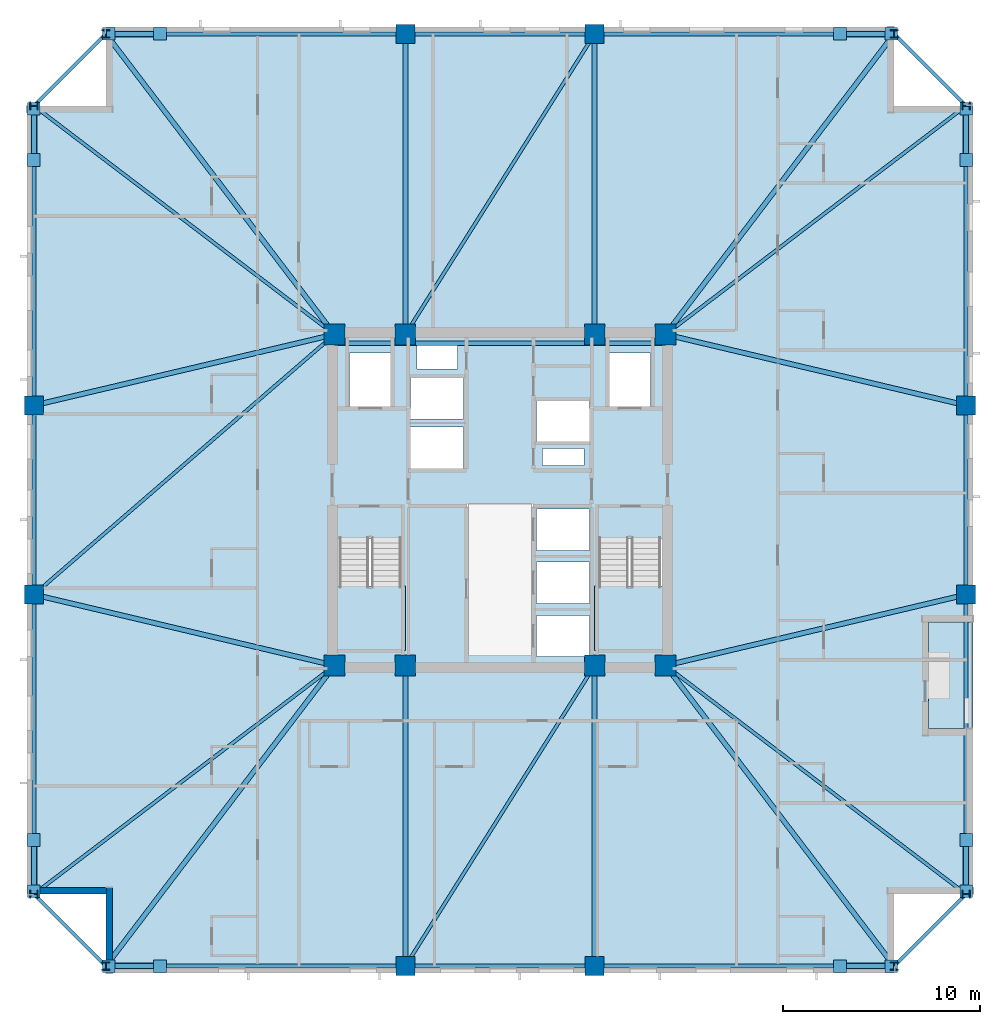
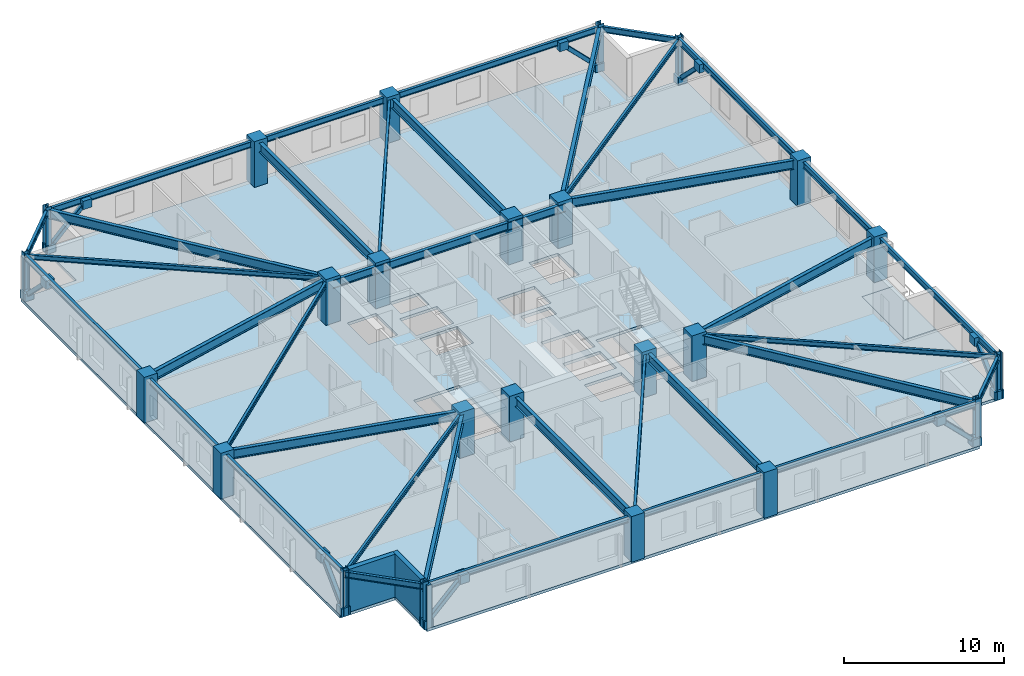
# One storey, part 1 of 11: 38 beams, 24 columns, 16 plates, 8 members, 4 slabs, 2 walls, 2 elements without a shape of their own.
"""IFC4 building model written with IfcOpenShell, lengths in metres."""

from ifc_helpers import new_model, si_unit, direction, frame, frame_2d, origin, origin_2d, place, context, subcontext, project, spatial, polyline, rectangle, hollow_rectangle, i_section, outline, extrude, material, layer, layer_set, material_profile, profile_set, type_object, element, aggregate, save


model = new_model("IFC4")

# Units and contexts
model_context = context("Model", 3, precision=1e-05, world=origin(), true_north=direction((0.0, 1.0)))
body_context = subcontext(model_context, "Body", "Model", "MODEL_VIEW")
ifc_project = project(units=[si_unit("LENGTHUNIT", "METRE"), si_unit("AREAUNIT", "SQUARE_METRE"), si_unit("VOLUMEUNIT", "CUBIC_METRE"), si_unit("PLANEANGLEUNIT", "RADIAN"), si_unit("MASSUNIT", "GRAM", prefix="KILO")], contexts=[model_context])

# Site, building, storey
site_placement = place(None, origin())
site = spatial("IfcSite", under=ifc_project, at=site_placement, CompositionType="ELEMENT")
building_placement = place(site_placement, origin())
building = spatial("IfcBuilding", under=site, at=building_placement, Name="Cairnveth Concourse Tower", CompositionType="ELEMENT")
storey_placement = place(building_placement, frame((0.0, 0.0, 176.0)))
storey = spatial("IfcBuildingStorey", under=building, at=storey_placement, Name="L48", CompositionType="ELEMENT", Elevation=176.0)

# Columns
ifc_material_1 = material(Name="Concrete N65 (65 MPa)", Category="concrete")
ifc_material_profile_1 = material_profile(ifc_material_1, rectangle(XDim=1.050048828125, YDim=1.050048828125, at=origin_2d()), Name="RC-COL-1050x1050")
ifc_profile_set_1 = profile_set([ifc_material_profile_1], Name="Concrete N65 (65 MPa)")
column_type_1 = type_object("IfcColumnType", Name="CORE COLUMN 1050X1050", PredefinedType="COLUMN", material=ifc_profile_set_1)
for number, where, z_axis, x_axis, name in (
    (1, (43.60009765625, 30.60009765625, 0.0), (0.0, 0.0, 1.0), (1.0, 0.0, 0.0), "Column CC1 L48"),
    (2, (47.199951171875, 30.60009765625, 0.0), (0.0, 0.0, 1.0), (1.0, 0.0, 0.0), "Column CC2 L48"),
    (3, (56.800048828125, 30.60009765625, 0.0), (0.0, 0.0, 1.0), (1.0, 0.0, 0.0), "Column CC3 L48"),
    (4, (60.39990234375, 30.60009765625, 0.0), (0.0, 0.0, 1.0), (1.0, 0.0, 0.0), "Column CC4 L48"),
    (5, (43.60009765625, 47.39990234375, 0.0), (0.0, 0.0, 1.0), (1.0, 0.0, 0.0), "Column CC5 L48"),
    (6, (47.199951171875, 47.39990234375, 0.0), (0.0, 0.0, 1.0), (1.0, 0.0, 0.0), "Column CC6 L48"),
    (7, (56.800048828125, 47.39990234375, 0.0), (0.0, 0.0, 1.0), (1.0, 0.0, 0.0), "Column CC7 L48"),
    (8, (60.39990234375, 47.39990234375, 0.0), (0.0, 0.0, 1.0), (1.0, 0.0, 0.0), "Column CC8 L48"),
):
    element("IfcColumn", number, at=place(storey_placement, frame(where, z_axis=z_axis, x_axis=x_axis)), inside=storey, type_object=column_type_1, Name=name, PredefinedType="COLUMN", context=body_context, shape_type="SweptSolid", body=[
        extrude(rectangle(XDim=1.050048828125, YDim=1.050048828125, at=origin_2d()), origin(), (0.0, 0.0, 1.0), 3.5),
    ])
ifc_material_profile_2 = material_profile(ifc_material_1, rectangle(XDim=0.949951171875, YDim=0.949951171875, at=origin_2d()), Name="RC-COL-950x950")
ifc_profile_set_2 = profile_set([ifc_material_profile_2], Name="Concrete N65 (65 MPa)")
column_type_2 = type_object("IfcColumnType", Name="PERIMETER PIER COLUMN 950X950", PredefinedType="COLUMN", material=ifc_profile_set_2)
for number, where, z_axis, x_axis, name in (
    (9, (47.199951171875, 15.35009765625, 0.0), (0.0, 0.0, 1.0), (1.0, 0.0, 0.0), "Column P-S2 L48"),
    (10, (56.800048828125, 15.35009765625, 0.0), (0.0, 0.0, 1.0), (1.0, 0.0, 0.0), "Column P-S3 L48"),
    (11, (75.64990234375, 34.199951171875, 0.0), (0.0, 0.0, 1.0), (0.0, 1.0, 0.0), "Column P-E2 L48"),
    (12, (75.64990234375, 43.800048828125, 0.0), (0.0, 0.0, 1.0), (0.0, 1.0, 0.0), "Column P-E3 L48"),
    (13, (56.800048828125, 62.64990234375, 0.0), (0.0, 0.0, 1.0), (1.0, 0.0, 0.0), "Column P-N2 L48"),
    (14, (47.199951171875, 62.64990234375, 0.0), (0.0, 0.0, 1.0), (1.0, 0.0, 0.0), "Column P-N3 L48"),
    (15, (28.35009765625, 43.800048828125, 0.0), (0.0, 0.0, 1.0), (0.0, 1.0, 0.0), "Column P-W2 L48"),
    (16, (28.35009765625, 34.199951171875, 0.0), (0.0, 0.0, 1.0), (0.0, 1.0, 0.0), "Column P-W3 L48"),
):
    element("IfcColumn", number, at=place(storey_placement, frame(where, z_axis=z_axis, x_axis=x_axis)), inside=storey, type_object=column_type_2, Name=name, PredefinedType="COLUMN", context=body_context, shape_type="SweptSolid", body=[
        extrude(rectangle(XDim=0.949951171875, YDim=0.949951171875, at=origin_2d()), origin(), (0.0, 0.0, 1.0), 3.5),
    ])
ifc_material_2 = material(Name="Steel Grade 350", Category="steel")
ifc_material_profile_3 = material_profile(ifc_material_2, i_section(OverallWidth=0.39990234375, OverallDepth=0.39990234375, WebThickness=0.02197265625, FlangeThickness=0.035888671875, at=origin_2d()), Name="400WC270")
ifc_profile_set_3 = profile_set([ifc_material_profile_3], Name="Steel Grade 350")
column_type_3 = type_object("IfcColumnType", Name="WELDED STEEL COLUMN 400WC270", PredefinedType="COLUMN", material=ifc_profile_set_3)
for number, where, z_axis, x_axis, name in (
    (17, (32.0, 15.35009765625, 0.0), (0.0, 0.0, 1.0), (1.0, 0.0, 0.0), "Column P-S1 L48"),
    (18, (72.0, 15.35009765625, 0.0), (0.0, 0.0, 1.0), (1.0, 0.0, 0.0), "Column P-S4 L48"),
    (19, (75.64990234375, 19.0, 0.0), (0.0, 0.0, 1.0), (0.0, 1.0, 0.0), "Column P-E1 L48"),
    (20, (75.64990234375, 59.0, 0.0), (0.0, 0.0, 1.0), (0.0, 1.0, 0.0), "Column P-E4 L48"),
    (21, (72.0, 62.64990234375, 0.0), (0.0, 0.0, 1.0), (1.0, 0.0, 0.0), "Column P-N1 L48"),
    (22, (32.0, 62.64990234375, 0.0), (0.0, 0.0, 1.0), (1.0, 0.0, 0.0), "Column P-N4 L48"),
    (23, (28.35009765625, 59.0, 0.0), (0.0, 0.0, 1.0), (0.0, 1.0, 0.0), "Column P-W1 L48"),
    (24, (28.35009765625, 19.0, 0.0), (0.0, 0.0, 1.0), (0.0, 1.0, 0.0), "Column P-W4 L48"),
):
    element("IfcColumn", number, at=place(storey_placement, frame(where, z_axis=z_axis, x_axis=x_axis)), inside=storey, type_object=column_type_3, Name=name, PredefinedType="COLUMN", context=body_context, shape_type="SweptSolid", body=[
        extrude(i_section(OverallWidth=0.39990234375, OverallDepth=0.39990234375, WebThickness=0.02197265625, FlangeThickness=0.035888671875, at=origin_2d()), origin(), (0.0, 0.0, 1.0), 3.5),
    ])

# Beams
ifc_material_profile_4 = material_profile(ifc_material_2, i_section(OverallWidth=0.22802734375, OverallDepth=0.60693359375, WebThickness=0.01123046875, FlangeThickness=0.017333984375, FilletRadius=0.013916015625, at=origin_2d()), Name="610UB113")
ifc_profile_set_4 = profile_set([ifc_material_profile_4], Name="Steel Grade 350")
beam_type_1 = type_object("IfcBeamType", Name="CORE TIE BEAM 610UB113", PredefinedType="T_BEAM", material=ifc_profile_set_4)
for number, where, z_axis, x_axis, name in (
    (25, (43.60009765625, 46.949951171875, 2.9765625), (1.0, 0.0, 0.0), (0.0, 1.0, 0.0), "Beam CT-N1 L48"),
    (26, (56.800048828125, 46.949951171875, 2.9765625), (1.0, 0.0, 0.0), (0.0, 1.0, 0.0), "Beam CT-N3 L48"),
):
    element("IfcBeam", number, at=place(storey_placement, frame(where, z_axis=z_axis, x_axis=x_axis)), inside=storey, type_object=beam_type_1, Name=name, PredefinedType="T_BEAM", context=body_context, shape_type="SweptSolid", body=[
        extrude(i_section(OverallWidth=0.22802734375, OverallDepth=0.60693359375, WebThickness=0.01123046875, FlangeThickness=0.017333984375, FilletRadius=0.013916015625, at=origin_2d()), origin(), (0.0, 0.0, 1.0), 3.599853515625),
    ])
beam_1_placement = place(storey_placement, frame((47.199951171875, 46.949951171875, 2.9765625), z_axis=(1.0, 0.0, 0.0), x_axis=(0.0, 1.0, 0.0)))
element("IfcBeam", 27, at=beam_1_placement, inside=storey, type_object=beam_type_1, Name="Beam CT-N2 L48", PredefinedType="T_BEAM", context=body_context, shape_type="SweptSolid", body=[
    extrude(i_section(OverallWidth=0.22802734375, OverallDepth=0.60693359375, WebThickness=0.01123046875, FlangeThickness=0.017333984375, FilletRadius=0.013916015625, at=origin_2d()), origin(), (0.0, 0.0, 1.0), 9.60009765625),
])
ifc_material_profile_5 = material_profile(ifc_material_2, i_section(OverallWidth=0.172119140625, OverallDepth=0.35888671875, WebThickness=0.008056640625, FlangeThickness=0.012939453125, FilletRadius=0.010986328125, at=origin_2d()), Name="360UB56.7")
ifc_profile_set_5 = profile_set([ifc_material_profile_5], Name="Steel Grade 350")
beam_type_2 = type_object("IfcBeamType", Name="ZONE 2 FLOOR JOIST 360UB56.7", PredefinedType="JOIST", material=ifc_profile_set_5)
for number, where, z_axis, x_axis, name in (
    (28, (28.35009765625, 19.0, 3.1005859375), (0.795908242904, 0.6054172684, 0.0), (-0.6054172684, 0.795908242904, 0.0), "Beam FJ-CSW2 L48"),
    (29, (75.64990234375, 19.0, 3.1005859375), (-0.795908242904, 0.6054172684, 0.0), (-0.6054172684, -0.795908242904, 0.0), "Beam FJ-CSE2 L48"),
    (30, (75.64990234375, 59.0, 3.1005859375), (-0.795908242904, -0.6054172684, 0.0), (0.6054172684, -0.795908242904, 0.0), "Beam FJ-CNE2 L48"),
    (31, (28.35009765625, 59.0, 3.1005859375), (0.795908242904, -0.6054172684, 0.0), (0.6054172684, 0.795908242904, 0.0), "Beam FJ-CNW2 L48"),
):
    element("IfcBeam", number, at=place(storey_placement, frame(where, z_axis=z_axis, x_axis=x_axis)), inside=storey, type_object=beam_type_2, Name=name, PredefinedType="JOIST", context=body_context, shape_type="SweptSolid", body=[
        extrude(i_section(OverallWidth=0.172119140625, OverallDepth=0.35888671875, WebThickness=0.008056640625, FlangeThickness=0.012939453125, FilletRadius=0.010986328125, at=origin_2d()), origin(), (0.0, 0.0, 1.0), 19.160400390625),
    ])
for number, where, z_axis, x_axis, name in (
    (32, (47.199951171875, 15.35009765625, 3.1005859375), (0.532743557037, 0.84627672923, 0.0), (-0.84627672923, 0.532743557037, 0.0), "Beam FJ-S-M1 L48"),
    (33, (47.199951171875, 47.39990234375, 3.1005859375), (0.532743557037, 0.84627672923, 0.0), (-0.84627672923, 0.532743557037, 0.0), "Beam FJ-N-M1 L48"),
):
    element("IfcBeam", number, at=place(storey_placement, frame(where, z_axis=z_axis, x_axis=x_axis)), inside=storey, type_object=beam_type_2, Name=name, PredefinedType="JOIST", context=body_context, shape_type="SweptSolid", body=[
        extrude(i_section(OverallWidth=0.172119140625, OverallDepth=0.35888671875, WebThickness=0.008056640625, FlangeThickness=0.012939453125, FilletRadius=0.010986328125, at=origin_2d()), origin(), (0.0, 0.0, 1.0), 18.02001953125),
    ])
beam_2_placement = place(storey_placement, frame((28.35009765625, 34.199951171875, 3.1005859375), z_axis=(0.756099107057, 0.654457134049, 0.0), x_axis=(-0.654457134049, 0.756099107057, 0.0)))
element("IfcBeam", 34, at=beam_2_placement, inside=storey, type_object=beam_type_2, Name="Beam FJ-W-M1 L48", PredefinedType="JOIST", context=body_context, shape_type="SweptSolid", body=[
    extrude(i_section(OverallWidth=0.172119140625, OverallDepth=0.35888671875, WebThickness=0.008056640625, FlangeThickness=0.012939453125, FilletRadius=0.010986328125, at=origin_2d()), origin(), (0.0, 0.0, 1.0), 20.16943359375),
])

# Members
ifc_material_3 = material(Name="Steel C350L0 (350 MPa)", Category="steel")
ifc_material_profile_6 = material_profile(ifc_material_3, hollow_rectangle(XDim=0.300048828125, YDim=0.300048828125, WallThickness=0.01611328125, InnerFilletRadius=0.01611328125, OuterFilletRadius=0.031982421875, at=origin_2d()), Name="300x300x16.0SHS")
ifc_profile_set_6 = profile_set([ifc_material_profile_6], Name="Steel C350L0 (350 MPa)")
member_type = type_object("IfcMemberType", Name="ZONE 2 PIER BRACE 300X300X16SHS", PredefinedType="BRACE", material=ifc_profile_set_6)
for number, where, z_axis, x_axis, name in (
    (35, (32.14990234375, 15.35009765625, 0.25), (0.709834195787, 0.0, 0.704368805735), (0.0, 1.0, 0.0), "Structural Brace PB-S1 L48"),
    (36, (71.85009765625, 15.35009765625, 0.25), (-0.709834195787, 0.0, 0.704368805735), (0.0, -1.0, 0.0), "Structural Brace PB-S2 L48"),
    (37, (32.14990234375, 62.64990234375, 0.25), (0.709834195787, 0.0, 0.704368805735), (0.0, 1.0, 0.0), "Structural Brace PB-N1 L48"),
    (38, (71.85009765625, 62.64990234375, 0.25), (-0.709834195787, 0.0, 0.704368805735), (0.0, -1.0, 0.0), "Structural Brace PB-N2 L48"),
    (39, (28.35009765625, 19.14990234375, 0.25), (0.0, 0.709834195787, 0.704368805735), (-1.0, 0.0, 0.0), "Structural Brace PB-W1 L48"),
    (40, (28.35009765625, 58.85009765625, 0.25), (0.0, -0.709834195787, 0.704368805735), (1.0, 0.0, 0.0), "Structural Brace PB-W2 L48"),
    (41, (75.64990234375, 19.14990234375, 0.25), (0.0, 0.709834195787, 0.704368805735), (-1.0, 0.0, 0.0), "Structural Brace PB-E1 L48"),
    (42, (75.64990234375, 58.85009765625, 0.25), (0.0, -0.709834195787, 0.704368805735), (1.0, 0.0, 0.0), "Structural Brace PB-E2 L48"),
):
    element("IfcMember", number, at=place(storey_placement, frame(where, z_axis=z_axis, x_axis=x_axis)), inside=storey, type_object=member_type, Name=name, PredefinedType="BRACE", context=body_context, shape_type="SweptSolid", body=[
        extrude(hollow_rectangle(XDim=0.300048828125, YDim=0.300048828125, WallThickness=0.01611328125, InnerFilletRadius=0.01611328125, OuterFilletRadius=0.031982421875, at=origin_2d()), origin(), (0.0, 0.0, 1.0), 3.6630859375),
    ])

# Beams
ifc_material_profile_7 = material_profile(ifc_material_2, i_section(OverallWidth=0.25, OverallDepth=0.699951171875, WebThickness=0.011962890625, FlangeThickness=0.028076171875, at=origin_2d()), Name="700WB173")
ifc_profile_set_7 = profile_set([ifc_material_profile_7], Name="Steel Grade 350")
beam_type_3 = type_object("IfcBeamType", Name="ZONE 2 RADIAL GIRDER 700WB173", PredefinedType="BEAM", material=ifc_profile_set_7)
for number, where, z_axis, x_axis, name in (
    (43, (47.199951171875, 15.35009765625, 2.929931640625), (0.0, 1.0, 0.0), (-1.0, 0.0, 0.0), "Beam RG-S1 L48"),
    (44, (56.800048828125, 15.35009765625, 2.929931640625), (0.0, 1.0, 0.0), (-1.0, 0.0, 0.0), "Beam RG-S2 L48"),
    (45, (47.199951171875, 47.39990234375, 2.929931640625), (0.0, 1.0, 0.0), (-1.0, 0.0, 0.0), "Beam RG-N1 L48"),
    (46, (56.800048828125, 47.39990234375, 2.929931640625), (0.0, 1.0, 0.0), (-1.0, 0.0, 0.0), "Beam RG-N2 L48"),
):
    element("IfcBeam", number, at=place(storey_placement, frame(where, z_axis=z_axis, x_axis=x_axis)), inside=storey, type_object=beam_type_3, Name=name, PredefinedType="BEAM", context=body_context, shape_type="SweptSolid", body=[
        extrude(i_section(OverallWidth=0.25, OverallDepth=0.699951171875, WebThickness=0.011962890625, FlangeThickness=0.028076171875, at=origin_2d()), origin(), (0.0, 0.0, 1.0), 15.25),
    ])
for number, where, z_axis, x_axis, name in (
    (47, (28.35009765625, 34.199951171875, 2.929931640625), (0.973251602929, -0.229741849468, 0.0), (0.229741849468, 0.973251602929, 0.0), "Beam RG-W1 L48"),
    (48, (28.35009765625, 43.800048828125, 2.929931640625), (0.973251602929, 0.229741849468, 0.0), (-0.229741849468, 0.973251602929, 0.0), "Beam RG-W2 L48"),
    (49, (60.39990234375, 30.60009765625, 2.929931640625), (0.973251602929, 0.229741849468, 0.0), (-0.229741849468, 0.973251602929, 0.0), "Beam RG-E1 L48"),
    (50, (60.39990234375, 47.39990234375, 2.929931640625), (0.973251602929, -0.229741849468, 0.0), (0.229741849468, 0.973251602929, 0.0), "Beam RG-E2 L48"),
):
    element("IfcBeam", number, at=place(storey_placement, frame(where, z_axis=z_axis, x_axis=x_axis)), inside=storey, type_object=beam_type_3, Name=name, PredefinedType="BEAM", context=body_context, shape_type="SweptSolid", body=[
        extrude(i_section(OverallWidth=0.25, OverallDepth=0.699951171875, WebThickness=0.011962890625, FlangeThickness=0.028076171875, at=origin_2d()), origin(), (0.0, 0.0, 1.0), 15.669189453125),
    ])
for number, where, z_axis, x_axis, name in (
    (51, (32.0, 15.35009765625, 2.929931640625), (0.6054172684, 0.795908242904, 0.0), (-0.795908242904, 0.6054172684, 0.0), "Beam RG-CSW L48"),
    (52, (72.0, 15.35009765625, 2.929931640625), (-0.6054172684, 0.795908242904, 0.0), (-0.795908242904, -0.6054172684, 0.0), "Beam RG-CSE L48"),
    (53, (72.0, 62.64990234375, 2.929931640625), (-0.6054172684, -0.795908242904, 0.0), (0.795908242904, -0.6054172684, 0.0), "Beam RG-CNE L48"),
    (54, (32.0, 62.64990234375, 2.929931640625), (0.6054172684, -0.795908242904, 0.0), (0.795908242904, 0.6054172684, 0.0), "Beam RG-CNW L48"),
):
    element("IfcBeam", number, at=place(storey_placement, frame(where, z_axis=z_axis, x_axis=x_axis)), inside=storey, type_object=beam_type_3, Name=name, PredefinedType="BEAM", context=body_context, shape_type="SweptSolid", body=[
        extrude(i_section(OverallWidth=0.25, OverallDepth=0.699951171875, WebThickness=0.011962890625, FlangeThickness=0.028076171875, at=origin_2d()), origin(), (0.0, 0.0, 1.0), 19.160400390625),
    ])
ifc_material_profile_8 = material_profile(ifc_material_2, i_section(OverallWidth=0.18994140625, OverallDepth=0.45703125, WebThickness=0.009033203125, FlangeThickness=0.014404296875, FilletRadius=0.010986328125, at=origin_2d()), Name="460UB74.6")
ifc_profile_set_8 = profile_set([ifc_material_profile_8], Name="Steel Grade 350")
beam_type_4 = type_object("IfcBeamType", Name="ZONE 2 SPANDREL BEAM 460UB74.6", PredefinedType="SPANDREL", material=ifc_profile_set_8)
beam_3_placement = place(storey_placement, frame((32.0, 15.35009765625, 3.051513671875), z_axis=(1.0, 0.0, 0.0), x_axis=(0.0, 1.0, 0.0)))
element("IfcBeam", 55, at=beam_3_placement, inside=storey, type_object=beam_type_4, Name="Beam SP-S1 L48", PredefinedType="SPANDREL", context=body_context, shape_type="SweptSolid", body=[
    extrude(i_section(OverallWidth=0.18994140625, OverallDepth=0.45703125, WebThickness=0.009033203125, FlangeThickness=0.014404296875, FilletRadius=0.010986328125, at=origin_2d()), origin(), (0.0, 0.0, 1.0), 15.199951171875),
])
beam_4_placement = place(storey_placement, frame((47.199951171875, 15.35009765625, 3.051513671875), z_axis=(1.0, 0.0, 0.0), x_axis=(0.0, 1.0, 0.0)))
element("IfcBeam", 56, at=beam_4_placement, inside=storey, type_object=beam_type_4, Name="Beam SP-S2 L48", PredefinedType="SPANDREL", context=body_context, shape_type="SweptSolid", body=[
    extrude(i_section(OverallWidth=0.18994140625, OverallDepth=0.45703125, WebThickness=0.009033203125, FlangeThickness=0.014404296875, FilletRadius=0.010986328125, at=origin_2d()), origin(), (0.0, 0.0, 1.0), 9.60009765625),
])
for number, where, z_axis, x_axis, name in (
    (57, (56.800048828125, 15.35009765625, 3.051513671875), (1.0, 0.0, 0.0), (0.0, 1.0, 0.0), "Beam SP-S3 L48"),
    (58, (32.0, 62.64990234375, 3.051513671875), (1.0, 0.0, 0.0), (0.0, 1.0, 0.0), "Beam SP-N1 L48"),
):
    element("IfcBeam", number, at=place(storey_placement, frame(where, z_axis=z_axis, x_axis=x_axis)), inside=storey, type_object=beam_type_4, Name=name, PredefinedType="SPANDREL", context=body_context, shape_type="SweptSolid", body=[
        extrude(i_section(OverallWidth=0.18994140625, OverallDepth=0.45703125, WebThickness=0.009033203125, FlangeThickness=0.014404296875, FilletRadius=0.010986328125, at=origin_2d()), origin(), (0.0, 0.0, 1.0), 15.199951171875),
    ])
beam_5_placement = place(storey_placement, frame((47.199951171875, 62.64990234375, 3.051513671875), z_axis=(1.0, 0.0, 0.0), x_axis=(0.0, 1.0, 0.0)))
element("IfcBeam", 59, at=beam_5_placement, inside=storey, type_object=beam_type_4, Name="Beam SP-N2 L48", PredefinedType="SPANDREL", context=body_context, shape_type="SweptSolid", body=[
    extrude(i_section(OverallWidth=0.18994140625, OverallDepth=0.45703125, WebThickness=0.009033203125, FlangeThickness=0.014404296875, FilletRadius=0.010986328125, at=origin_2d()), origin(), (0.0, 0.0, 1.0), 9.60009765625),
])
for number, where, z_axis, x_axis, name in (
    (60, (56.800048828125, 62.64990234375, 3.051513671875), (1.0, 0.0, 0.0), (0.0, 1.0, 0.0), "Beam SP-N3 L48"),
    (61, (28.35009765625, 19.0, 3.051513671875), (0.0, 1.0, 0.0), (-1.0, 0.0, 0.0), "Beam SP-W1 L48"),
):
    element("IfcBeam", number, at=place(storey_placement, frame(where, z_axis=z_axis, x_axis=x_axis)), inside=storey, type_object=beam_type_4, Name=name, PredefinedType="SPANDREL", context=body_context, shape_type="SweptSolid", body=[
        extrude(i_section(OverallWidth=0.18994140625, OverallDepth=0.45703125, WebThickness=0.009033203125, FlangeThickness=0.014404296875, FilletRadius=0.010986328125, at=origin_2d()), origin(), (0.0, 0.0, 1.0), 15.199951171875),
    ])
beam_6_placement = place(storey_placement, frame((28.35009765625, 34.199951171875, 3.051513671875), z_axis=(0.0, 1.0, 0.0), x_axis=(-1.0, 0.0, 0.0)))
element("IfcBeam", 62, at=beam_6_placement, inside=storey, type_object=beam_type_4, Name="Beam SP-W2 L48", PredefinedType="SPANDREL", context=body_context, shape_type="SweptSolid", body=[
    extrude(i_section(OverallWidth=0.18994140625, OverallDepth=0.45703125, WebThickness=0.009033203125, FlangeThickness=0.014404296875, FilletRadius=0.010986328125, at=origin_2d()), origin(), (0.0, 0.0, 1.0), 9.60009765625),
])
for number, where, z_axis, x_axis, name in (
    (63, (28.35009765625, 43.800048828125, 3.051513671875), (0.0, 1.0, 0.0), (-1.0, 0.0, 0.0), "Beam SP-W3 L48"),
    (64, (75.64990234375, 19.0, 3.051513671875), (0.0, 1.0, 0.0), (-1.0, 0.0, 0.0), "Beam SP-E1 L48"),
):
    element("IfcBeam", number, at=place(storey_placement, frame(where, z_axis=z_axis, x_axis=x_axis)), inside=storey, type_object=beam_type_4, Name=name, PredefinedType="SPANDREL", context=body_context, shape_type="SweptSolid", body=[
        extrude(i_section(OverallWidth=0.18994140625, OverallDepth=0.45703125, WebThickness=0.009033203125, FlangeThickness=0.014404296875, FilletRadius=0.010986328125, at=origin_2d()), origin(), (0.0, 0.0, 1.0), 15.199951171875),
    ])
beam_7_placement = place(storey_placement, frame((75.64990234375, 34.199951171875, 3.051513671875), z_axis=(0.0, 1.0, 0.0), x_axis=(-1.0, 0.0, 0.0)))
element("IfcBeam", 65, at=beam_7_placement, inside=storey, type_object=beam_type_4, Name="Beam SP-E2 L48", PredefinedType="SPANDREL", context=body_context, shape_type="SweptSolid", body=[
    extrude(i_section(OverallWidth=0.18994140625, OverallDepth=0.45703125, WebThickness=0.009033203125, FlangeThickness=0.014404296875, FilletRadius=0.010986328125, at=origin_2d()), origin(), (0.0, 0.0, 1.0), 9.60009765625),
])
beam_8_placement = place(storey_placement, frame((75.64990234375, 43.800048828125, 3.051513671875), z_axis=(0.0, 1.0, 0.0), x_axis=(-1.0, 0.0, 0.0)))
element("IfcBeam", 66, at=beam_8_placement, inside=storey, type_object=beam_type_4, Name="Beam SP-E3 L48", PredefinedType="SPANDREL", context=body_context, shape_type="SweptSolid", body=[
    extrude(i_section(OverallWidth=0.18994140625, OverallDepth=0.45703125, WebThickness=0.009033203125, FlangeThickness=0.014404296875, FilletRadius=0.010986328125, at=origin_2d()), origin(), (0.0, 0.0, 1.0), 15.199951171875),
])
for number, where, z_axis, x_axis, name in (
    (67, (28.35009765625, 19.0, 3.051513671875), (0.707106781187, -0.707106781187, 0.0), (0.707106781187, 0.707106781187, 0.0), "Beam SP-SW L48"),
    (68, (72.0, 15.35009765625, 3.051513671875), (0.707106781187, 0.707106781187, 0.0), (-0.707106781187, 0.707106781187, 0.0), "Beam SP-SE L48"),
    (69, (72.0, 62.64990234375, 3.051513671875), (0.707106781187, -0.707106781187, 0.0), (0.707106781187, 0.707106781187, 0.0), "Beam SP-NE L48"),
    (70, (28.35009765625, 59.0, 3.051513671875), (0.707106781187, 0.707106781187, 0.0), (-0.707106781187, 0.707106781187, 0.0), "Beam SP-NW L48"),
):
    element("IfcBeam", number, at=place(storey_placement, frame(where, z_axis=z_axis, x_axis=x_axis)), inside=storey, type_object=beam_type_4, Name=name, PredefinedType="SPANDREL", context=body_context, shape_type="SweptSolid", body=[
        extrude(i_section(OverallWidth=0.18994140625, OverallDepth=0.45703125, WebThickness=0.009033203125, FlangeThickness=0.014404296875, FilletRadius=0.010986328125, at=origin_2d()), origin(), (0.0, 0.0, 1.0), 5.16162109375),
    ])

# Slab
ifc_material_4 = material(Name="Concrete N50 (50 MPa)", Category="concrete")
ifc_layer_1 = layer(ifc_material_4, 0.219970703125)
ifc_layer_set_1 = layer_set([ifc_layer_1], Name="Concrete N50 (50 MPa)")
slab_type_1 = type_object("IfcSlabType", Name="LOWER TOWER COMPOSITE SLAB 220", PredefinedType="FLOOR", material=ifc_layer_set_1)
slab_1_placement = place(storey_placement, frame((0.0, 0.0, -0.219970703125)))
element("IfcSlab", 71, at=slab_1_placement, inside=storey, type_object=slab_type_1, Name="Tower Floor Slab L48", PredefinedType="FLOOR", context=body_context, shape_type="SweptSolid", body=[
    extrude(outline(polyline([(76.0, 27.39990234375), (73.75, 27.39990234375), (73.75, 32.800048828125), (76.0, 32.800048828125), (76.0, 59.0), (72.0, 59.0), (72.0, 63.0), (32.0, 63.0), (32.0, 59.0), (28.0, 59.0), (28.0, 19.0), (32.0, 19.0), (32.0, 15.0), (72.0, 15.0), (72.0, 19.0), (76.0, 19.0), (76.0, 27.39990234375)]), holes=[polyline([(43.760009765625, 31.360107421875), (47.06005859375, 31.360107421875), (47.06005859375, 37.0400390625), (43.760009765625, 37.0400390625), (43.760009765625, 31.360107421875)]), polyline([(56.93994140625, 31.360107421875), (60.239990234375, 31.360107421875), (60.239990234375, 37.0400390625), (56.93994140625, 37.0400390625), (56.93994140625, 31.360107421875)]), polyline([(44.3701171875, 43.75), (46.469970703125, 43.75), (46.469970703125, 46.449951171875), (44.3701171875, 46.449951171875), (44.3701171875, 43.75)]), polyline([(57.530029296875, 43.75), (59.6298828125, 43.75), (59.6298828125, 46.449951171875), (57.530029296875, 46.449951171875), (57.530029296875, 43.75)]), polyline([(53.85009765625, 31.050048828125), (56.550048828125, 31.050048828125), (56.550048828125, 33.14990234375), (53.85009765625, 33.14990234375), (53.85009765625, 31.050048828125)]), polyline([(53.85009765625, 33.75), (56.550048828125, 33.75), (56.550048828125, 35.85009765625), (53.85009765625, 35.85009765625), (53.85009765625, 33.75)]), polyline([(53.85009765625, 36.449951171875), (56.550048828125, 36.449951171875), (56.550048828125, 38.550048828125), (53.85009765625, 38.550048828125), (53.85009765625, 36.449951171875)]), polyline([(47.449951171875, 40.60009765625), (50.14990234375, 40.60009765625), (50.14990234375, 42.699951171875), (47.449951171875, 42.699951171875), (47.449951171875, 40.60009765625)]), polyline([(47.449951171875, 43.10009765625), (50.14990234375, 43.10009765625), (50.14990234375, 45.199951171875), (47.449951171875, 45.199951171875), (47.449951171875, 43.10009765625)]), polyline([(53.85009765625, 41.949951171875), (56.550048828125, 41.949951171875), (56.550048828125, 44.050048828125), (53.85009765625, 44.050048828125), (53.85009765625, 41.949951171875)]), polyline([(47.800048828125, 45.64990234375), (49.85009765625, 45.64990234375), (49.85009765625, 47.050048828125), (47.800048828125, 47.050048828125), (47.800048828125, 45.64990234375)]), polyline([(54.14990234375, 40.75), (56.25, 40.75), (56.25, 41.6201171875), (54.14990234375, 41.6201171875), (54.14990234375, 40.75)])]), origin(), (0.0, 0.0, 1.0), 0.219970703125),
])

# Plates
ifc_layer_2 = layer(ifc_material_2, 0.031982421875)
ifc_layer_set_2 = layer_set([ifc_layer_2], Name="Steel Grade 350")
plate_type = type_object("IfcPlateType", Name="PERIMETER BRACE GUSSET PLATE 32", PredefinedType="USERDEFINED", material=ifc_layer_set_2)
for number, where, z_axis, x_axis, name in (
    (72, (32.14990234375, 15.35009765625, -0.06982421875), (0.0, 0.0, 1.0), (1.0, 0.0, 0.0), "Structural Node Plate 0801 L48"),
    (73, (34.75, 15.35009765625, 2.51025390625), (0.0, 0.0, 1.0), (1.0, 0.0, 0.0), "Structural Node Plate 0802 L48"),
    (74, (71.85009765625, 15.35009765625, -0.06982421875), (0.0, 0.0, 1.0), (1.0, 0.0, 0.0), "Structural Node Plate 0803 L48"),
    (75, (69.25, 15.35009765625, 2.51025390625), (0.0, 0.0, 1.0), (1.0, 0.0, 0.0), "Structural Node Plate 0804 L48"),
    (76, (32.14990234375, 62.64990234375, -0.06982421875), (0.0, 0.0, 1.0), (1.0, 0.0, 0.0), "Structural Node Plate 0805 L48"),
    (77, (34.75, 62.64990234375, 2.51025390625), (0.0, 0.0, 1.0), (1.0, 0.0, 0.0), "Structural Node Plate 0806 L48"),
    (78, (71.85009765625, 62.64990234375, -0.06982421875), (0.0, 0.0, 1.0), (1.0, 0.0, 0.0), "Structural Node Plate 0807 L48"),
    (79, (69.25, 62.64990234375, 2.51025390625), (0.0, 0.0, 1.0), (1.0, 0.0, 0.0), "Structural Node Plate 0808 L48"),
    (80, (28.35009765625, 19.14990234375, -0.06982421875), (0.0, 0.0, 1.0), (1.0, 0.0, 0.0), "Structural Node Plate 0809 L48"),
    (81, (28.35009765625, 21.75, 2.51025390625), (0.0, 0.0, 1.0), (1.0, 0.0, 0.0), "Structural Node Plate 0810 L48"),
    (82, (28.35009765625, 58.85009765625, -0.06982421875), (0.0, 0.0, 1.0), (1.0, 0.0, 0.0), "Structural Node Plate 0811 L48"),
    (83, (28.35009765625, 56.25, 2.51025390625), (0.0, 0.0, 1.0), (1.0, 0.0, 0.0), "Structural Node Plate 0812 L48"),
    (84, (75.64990234375, 19.14990234375, -0.06982421875), (0.0, 0.0, 1.0), (1.0, 0.0, 0.0), "Structural Node Plate 0813 L48"),
    (85, (75.64990234375, 21.75, 2.51025390625), (0.0, 0.0, 1.0), (1.0, 0.0, 0.0), "Structural Node Plate 0814 L48"),
    (86, (75.64990234375, 58.85009765625, -0.06982421875), (0.0, 0.0, 1.0), (1.0, 0.0, 0.0), "Structural Node Plate 0815 L48"),
    (87, (75.64990234375, 56.25, 2.51025390625), (0.0, 0.0, 1.0), (1.0, 0.0, 0.0), "Structural Node Plate 0816 L48"),
):
    element("IfcPlate", number, at=place(storey_placement, frame(where, z_axis=z_axis, x_axis=x_axis)), inside=storey, type_object=plate_type, Name=name, ObjectType="GUSSET PLATE", PredefinedType="USERDEFINED", context=body_context, shape_type="SweptSolid", body=[
        extrude(rectangle(XDim=0.639892578125, YDim=0.639892578125, at=origin_2d()), origin(), (0.0, 0.0, 1.0), 0.639892578125),
    ])

# Slab
ifc_layer_3 = layer(ifc_material_4, 0.18994140625)
ifc_layer_set_3 = layer_set([ifc_layer_3], Name="Concrete N50 (50 MPa)")
slab_type_2 = type_object("IfcSlabType", Name="SPIRAL OUTDOOR TERRACE SLAB 190", PredefinedType="FLOOR", material=ifc_layer_set_3)
slab_2_placement = place(storey_placement, frame((0.0, 0.0, -0.18994140625)))
element("IfcSlab", 88, at=slab_2_placement, inside=storey, type_object=slab_type_2, Name="Spiral Terrace Slab L48", PredefinedType="FLOOR", context=body_context, shape_type="SweptSolid", body=[
    extrude(outline(polyline([(73.75, 27.39990234375), (76.0, 27.39990234375), (76.0, 32.800048828125), (73.75, 32.800048828125), (73.75, 27.39990234375)])), origin(), (0.0, 0.0, 1.0), 0.18994140625),
])

# Stair, slab
ifc_material_5 = material(Name="Precast concrete N50 (50 MPa)", Category="concrete")
stair_type = type_object("IfcStairType", Name="CORE DOG-LEG FIRE STAIR 1500", PredefinedType="HALF_TURN_STAIR", material=ifc_material_5)
stair_1_placement = place(storey_placement, origin())
stair_1 = element("IfcStair", 89, at=stair_1_placement, inside=storey, type_object=stair_type, Name="L48 Fire-Isolated Stair ST-1", PredefinedType="HALF_TURN_STAIR")
ifc_layer_4 = layer(ifc_material_4, 0.199951171875)
ifc_layer_set_4 = layer_set([ifc_layer_4], Name="Concrete N50 (50 MPa)")
slab_type_3 = type_object("IfcSlabType", Name="STAIR HALF LANDING SLAB 200", PredefinedType="LANDING", material=ifc_layer_set_4)
slab_3_placement = place(storey_placement, frame((0.0, 0.0, 1.550048828125)))
slab_3 = element("IfcSlab", 90, at=slab_3_placement, type_object=slab_type_3, Name="ST-1 landing 1", PredefinedType="LANDING", context=body_context, shape_type="SweptSolid", body=[
    extrude(outline(polyline([(43.6201171875, 34.639892578125), (43.6201171875, 31.3701171875), (47.199951171875, 31.3701171875), (47.199951171875, 34.639892578125), (43.6201171875, 34.639892578125)])), origin(), (0.0, 0.0, 1.0), 0.199951171875),
])
aggregate(stair_1, [slab_3])

stair_2_placement = place(storey_placement, origin())
stair_2 = element("IfcStair", 91, at=stair_2_placement, inside=storey, type_object=stair_type, Name="L48 Fire-Isolated Stair ST-2", PredefinedType="HALF_TURN_STAIR")
slab_4_placement = place(storey_placement, frame((0.0, 0.0, 1.550048828125)))
slab_4 = element("IfcSlab", 92, at=slab_4_placement, type_object=slab_type_3, Name="ST-2 landing 1", PredefinedType="LANDING", context=body_context, shape_type="SweptSolid", body=[
    extrude(outline(polyline([(56.800048828125, 34.639892578125), (56.800048828125, 31.3701171875), (60.3798828125, 31.3701171875), (60.3798828125, 34.639892578125), (56.800048828125, 34.639892578125)])), origin(), (0.0, 0.0, 1.0), 0.199951171875),
])
aggregate(stair_2, [slab_4])

# Walls
ifc_material_6 = material(Name="Hawthorn Red-Ochre Fired Clay Brick Masonry", Category="masonry")
ifc_layer_5 = layer(ifc_material_6, 0.340087890625)
ifc_layer_set_5 = layer_set([ifc_layer_5], Name="Hawthorn Red-Ochre Fired Clay Brick Masonry")
wall_type = type_object("IfcWallType", Name="ZONE 2 BRICK PIER SPANDREL WALL 340", PredefinedType="SOLIDWALL", material=ifc_layer_set_5)
wall_1_placement = place(storey_placement, frame((32.169921875, 15.0, 0.0), z_axis=(0.0, 0.0, 1.0), x_axis=(0.0, 1.0, 0.0)))
element("IfcWall", 93, at=wall_1_placement, inside=storey, type_object=wall_type, Name="Exterior Wall EW-L48-S04", PredefinedType="SOLIDWALL", context=body_context, shape_type="SweptSolid", body=[
    extrude(rectangle(XDim=4.340087890625, YDim=0.340087890625, at=frame_2d((2.169921875, 0.0))), origin(), (0.0, 0.0, 1.0), 3.280029296875),
])
wall_2_placement = place(storey_placement, frame((32.02197265625, 19.169921875, 0.0), z_axis=(0.0, 0.0, 1.0), x_axis=(-1.0, 0.0, 0.0)))
element("IfcWall", 94, at=wall_2_placement, inside=storey, type_object=wall_type, Name="Exterior Wall EW-L48-S05", PredefinedType="SOLIDWALL", context=body_context, shape_type="SweptSolid", body=[
    extrude(rectangle(XDim=3.703857421875, YDim=0.340087890625, at=frame_2d((1.85205078125, 0.0))), origin(), (0.0, 0.0, 1.0), 3.280029296875),
])

save(model, "model.ifc")
